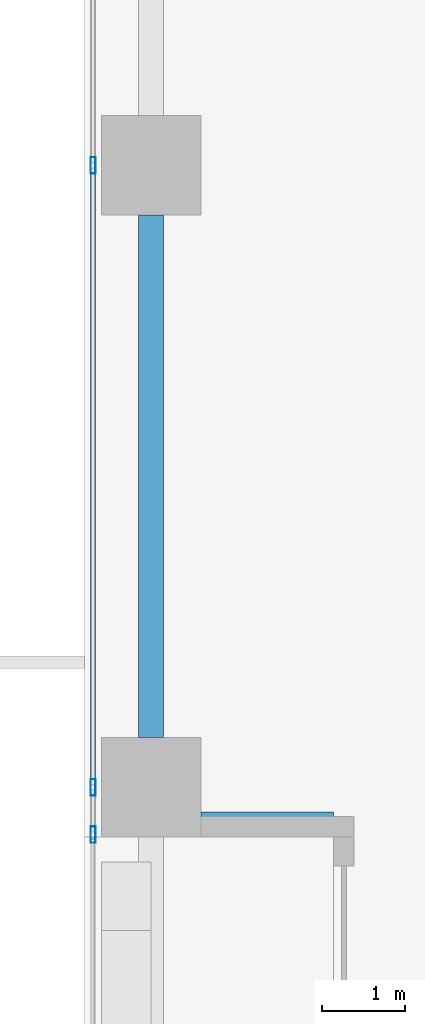
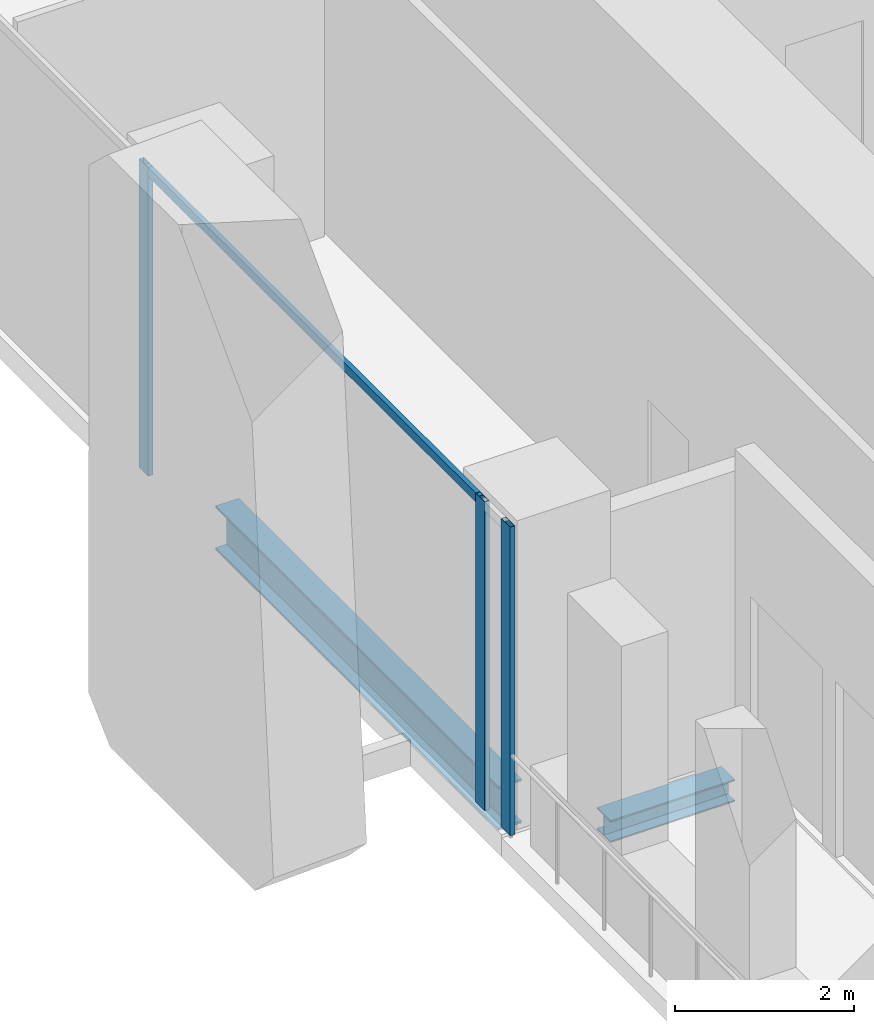
# One storey, part 5 of 34: 4 members, 2 beams, 1 element without a shape of its own.
"""IFC4 building model written with IfcOpenShell, lengths in metres."""

from ifc_helpers import new_model, si_unit, direction, frame, origin, origin_2d, place, context, subcontext, project, spatial, hollow_rectangle, i_section, extrude, source, transform, mapped, material, material_profile, profile_set, type_object, element, aggregate, save


model = new_model("IFC4")

# Units and contexts
model_context = context("Model", 3, precision=1e-05, world=origin(), true_north=direction((0.0, 1.0)))
body_context = subcontext(model_context, "Body", "Model", "MODEL_VIEW")
ifc_project = project(units=[si_unit("LENGTHUNIT", "METRE"), si_unit("AREAUNIT", "SQUARE_METRE"), si_unit("VOLUMEUNIT", "CUBIC_METRE"), si_unit("PLANEANGLEUNIT", "RADIAN"), si_unit("MASSUNIT", "GRAM", prefix="KILO")], contexts=[model_context])

# Site, building, storey
site_placement = place(None, origin())
site = spatial("IfcSite", under=ifc_project, at=site_placement, CompositionType="ELEMENT")
building_placement = place(site_placement, origin())
building = spatial("IfcBuilding", under=site, at=building_placement, Name="Khomas Fold Tower", CompositionType="ELEMENT")
storey_placement = place(building_placement, frame((0.0, 0.0, 51.0)))
storey = spatial("IfcBuildingStorey", under=building, at=storey_placement, Name="L10", CompositionType="ELEMENT", Elevation=51.0)

# Beams
ifc_material_1 = material(Name="Steel S355", Category="steel")
ifc_material_profile_1 = material_profile(ifc_material_1, i_section(OverallWidth=0.300048828125, OverallDepth=0.60009765625, WebThickness=0.015380859375, FlangeThickness=0.030029296875, at=origin_2d()), Name="HE 600 B")
ifc_profile_set_1 = profile_set([ifc_material_profile_1], Name="Steel S355")
beam_type_1 = type_object("IfcBeamType", Name="HE 600 B spandrel SB1", PredefinedType="SPANDREL", material=ifc_profile_set_1)
shared_shape_1 = source(origin(), body_context, "Body", "SweptSolid", [
    extrude(i_section(OverallWidth=0.300048828125, OverallDepth=0.60009765625, WebThickness=0.015380859375, FlangeThickness=0.030029296875, at=origin_2d()), origin(), (0.0, 0.0, 1.0), 6.2998046875),
])
beam_1_placement = place(storey_placement, frame((0.800048828125, 20.10009765625, -0.60009765625), z_axis=(0.0, 1.0, 0.0), x_axis=(-1.0, 0.0, 0.0)))
element("IfcBeam", 1, at=beam_1_placement, inside=storey, type_object=beam_type_1, Name="SB1", PredefinedType="SPANDREL", context=body_context, shape_type="MappedRepresentation", body=[
    mapped(shared_shape_1, transform((0.0, 0.0, 0.0))),
])
ifc_material_2 = material(Name="Steel S355", Category="steel")
ifc_material_profile_2 = material_profile(ifc_material_2, i_section(OverallWidth=0.300048828125, OverallDepth=0.300048828125, WebThickness=0.010986328125, FlangeThickness=0.01904296875, at=origin_2d()), Name="HE 300 B")
ifc_profile_set_2 = profile_set([ifc_material_profile_2], Name="Steel S355")
beam_type_2 = type_object("IfcBeamType", Name="HE 300 B beam BB1", PredefinedType="BEAM", material=ifc_profile_set_2)
shared_shape_2 = source(origin(), body_context, "Body", "SweptSolid", [
    extrude(i_section(OverallWidth=0.300048828125, OverallDepth=0.300048828125, WebThickness=0.010986328125, FlangeThickness=0.01904296875, at=origin_2d()), origin(), (0.0, 0.0, 1.0), 1.60009765625),
])
beam_2_placement = place(storey_placement, frame((1.39990234375, 19.050048828125, -0.449951171875), z_axis=(1.0, 0.0, 0.0), x_axis=(0.0, 1.0, 0.0)))
element("IfcBeam", 2, at=beam_2_placement, inside=storey, type_object=beam_type_2, Name="BB1", PredefinedType="BEAM", context=body_context, shape_type="MappedRepresentation", body=[
    mapped(shared_shape_2, transform((0.0, 0.0, 0.0))),
])

# Curtain wall, members
ifc_material_3 = material(Name="Aluminium framed double glazing", Category="aluminium")
curtain_wall_type = type_object("IfcCurtainWallType", Name="SK-Unitised clear-glass wall, growing floors CW1", PredefinedType="NOTDEFINED", material=ifc_material_3)
curtain_wall_placement = place(storey_placement, origin())
curtain_wall = element("IfcCurtainWall", 3, at=curtain_wall_placement, inside=storey, type_object=curtain_wall_type, Name="CW1 run L10 09-0", PredefinedType="NOTDEFINED")
ifc_material_4 = material(Name="Aluminium", Category="aluminium")
ifc_material_profile_3 = material_profile(ifc_material_4, hollow_rectangle(XDim=0.06005859375, YDim=0.1201171875, WallThickness=0.00390625, at=origin_2d()), Name="SK-Unitised clear-glass wall, growing floors transom CW1-T")
ifc_profile_set_3 = profile_set([ifc_material_profile_3], Name="Aluminium")
member_type_1 = type_object("IfcMemberType", Name="SK-Unitised clear-glass wall, growing floors transom CW1-T", PredefinedType="USERDEFINED", material=ifc_profile_set_3)
shared_shape_3 = source(origin(), body_context, "Body", "SweptSolid", [
    extrude(hollow_rectangle(XDim=0.06005859375, YDim=0.1201171875, WallThickness=0.00390625, at=origin_2d()), origin(), (0.0, 0.0, 1.0), 7.43994140625),
])
member_1_placement = place(storey_placement, frame((0.10009765625, 26.969970703125, 4.139892578125), z_axis=(0.0, -1.0, 0.0), x_axis=(1.0, 0.0, 0.0)))
member_1 = element("IfcMember", 4, at=member_1_placement, type_object=member_type_1, Name="CW1 transom 5", ObjectType="TRANSOM", PredefinedType="USERDEFINED", context=body_context, shape_type="MappedRepresentation", body=[
    mapped(shared_shape_3, transform((0.0, 0.0, 0.0))),
])
ifc_material_5 = material(Name="Aluminium", Category="aluminium")
ifc_material_profile_4 = material_profile(ifc_material_5, hollow_rectangle(XDim=0.06005859375, YDim=0.199951171875, WallThickness=0.00390625, at=origin_2d()), Name="SK-Unitised clear-glass wall, growing floors mullion CW1-M")
ifc_profile_set_4 = profile_set([ifc_material_profile_4], Name="Aluminium")
member_type_2 = type_object("IfcMemberType", Name="SK-Unitised clear-glass wall, growing floors mullion CW1-M", PredefinedType="MULLION", material=ifc_profile_set_4)
shared_shape_4 = source(origin(), body_context, "Body", "SweptSolid", [
    extrude(hollow_rectangle(XDim=0.06005859375, YDim=0.199951171875, WallThickness=0.00390625, at=origin_2d()), origin(), (0.0, 0.0, 1.0), 4.199951171875),
])
member_2_placement = place(storey_placement, frame((0.10009765625, 27.0, 0.0), z_axis=(0.0, 0.0, 1.0), x_axis=(1.0, 0.0, 0.0)))
member_2 = element("IfcMember", 5, at=member_2_placement, type_object=member_type_2, Name="CW1 mullion 5", PredefinedType="MULLION", context=body_context, shape_type="MappedRepresentation", body=[
    mapped(shared_shape_4, transform((0.0, 0.0, 0.0))),
])
member_3_placement = place(storey_placement, frame((0.10009765625, 19.5, 0.0), z_axis=(0.0, 0.0, 1.0), x_axis=(1.0, 0.0, 0.0)))
member_3 = element("IfcMember", 6, at=member_3_placement, type_object=member_type_2, Name="CW1 mullion 6", PredefinedType="MULLION", context=body_context, shape_type="MappedRepresentation", body=[
    mapped(shared_shape_4, transform((0.0, 0.0, 0.0))),
])
member_4_placement = place(storey_placement, frame((0.10009765625, 18.929931640625, 0.0), z_axis=(0.0, 0.0, 1.0), x_axis=(1.0, 0.0, 0.0)))
member_4 = element("IfcMember", 7, at=member_4_placement, type_object=member_type_2, Name="CW1 mullion 7", PredefinedType="MULLION", context=body_context, shape_type="MappedRepresentation", body=[
    mapped(shared_shape_4, transform((0.0, 0.0, 0.0))),
])
aggregate(curtain_wall, [member_2, member_3, member_4, member_1])

save(model, "model.ifc")
